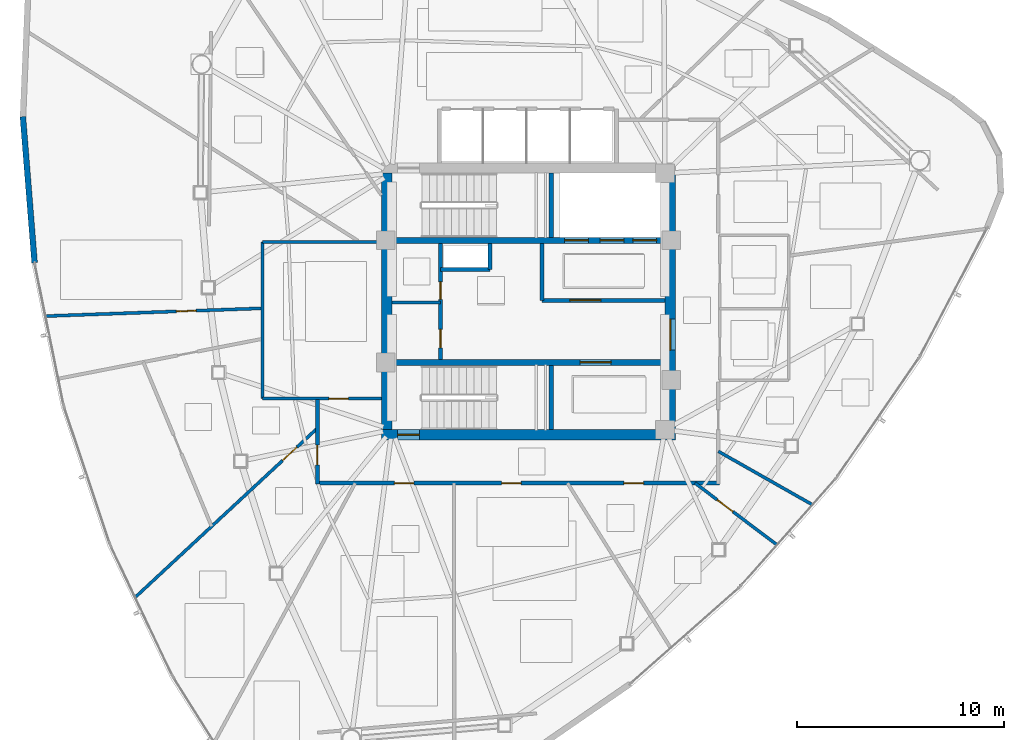
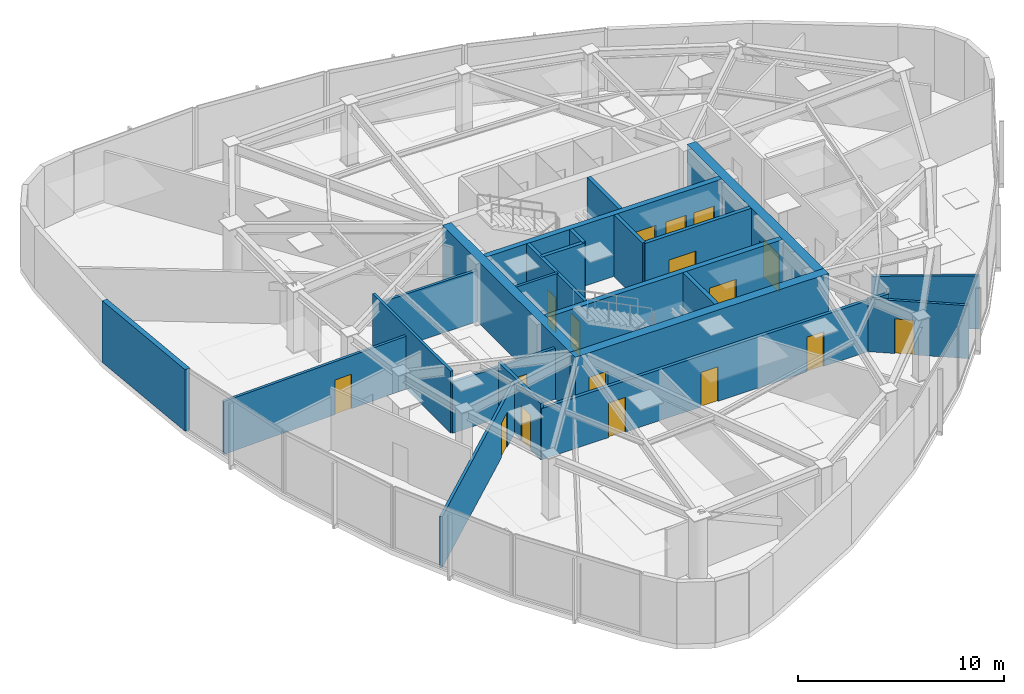
# One storey, part 10 of 15: 23 walls, 17 doors, 17 openings.
"""IFC4 building model written with IfcOpenShell, lengths in metres."""

from ifc_helpers import new_model, si_unit, direction, frame, frame_2d, origin, place, context, subcontext, project, spatial, rectangle, extrude, material, layer, layer_set, type_object, element, fill, save


model = new_model("IFC4")

# Units and contexts
model_context = context("Model", 3, precision=1e-05, world=origin(), true_north=direction((0.0, 1.0)))
body_context = subcontext(model_context, "Body", "Model", "MODEL_VIEW")
ifc_project = project(units=[si_unit("LENGTHUNIT", "METRE"), si_unit("AREAUNIT", "SQUARE_METRE"), si_unit("VOLUMEUNIT", "CUBIC_METRE"), si_unit("PLANEANGLEUNIT", "RADIAN"), si_unit("MASSUNIT", "GRAM", prefix="KILO")], contexts=[model_context])

# Site, building, storey
site_placement = place(None, origin())
site = spatial("IfcSite", under=ifc_project, at=site_placement, CompositionType="ELEMENT")
building_placement = place(site_placement, origin())
building = spatial("IfcBuilding", under=site, at=building_placement, Name="Tavelor Broadcast Tower", CompositionType="ELEMENT")
storey_placement = place(building_placement, frame((0.0, 0.0, 230.050048828125)))
storey = spatial("IfcBuildingStorey", under=building, at=storey_placement, Name="L54", CompositionType="ELEMENT", Elevation=230.050048828125)

# Wall, opening, door
ifc_material_1 = material(Name="Concrete C50/60", Category="concrete")
ifc_layer_1 = layer(ifc_material_1, 0.5)
ifc_layer_set_1 = layer_set([ifc_layer_1], Name="Concrete C50/60")
wall_type_1 = type_object("IfcWallType", Name="Core Shear Wall 500 mm", PredefinedType="SHEAR", material=ifc_layer_set_1)
wall_1_placement = place(storey_placement, frame((42.89990234375, 38.550048828125, 0.0), z_axis=(0.0, 0.0, 1.0), x_axis=(1.0, 0.0, 0.0)))
wall_1 = element("IfcWall", 1, at=wall_1_placement, inside=storey, type_object=wall_type_1, Name="L54 Central Core Shear Wall S", PredefinedType="SHEAR", context=body_context, shape_type="SweptSolid", body=[
    extrude(rectangle(XDim=14.2001953125, YDim=0.5, at=frame_2d((7.10009765625, 0.0))), origin(), (0.0, 0.0, 1.0), 3.64990234375),
])
opening_1_placement = place(wall_1_placement, frame((0.780029296875, 0.0, 0.0)))
opening_1 = element("IfcOpeningElement", 2, at=opening_1_placement, cuts=wall_1, Name="Opening DR11", PredefinedType="OPENING", context=body_context, shape_type="SweptSolid", body=[
    extrude(rectangle(XDim=1.050048828125, YDim=2.199951171875, at=frame_2d((0.52490234375, 1.10009765625))), frame((0.0, 0.260009765625, 0.0), z_axis=(0.0, -1.0, 0.0), x_axis=(1.0, 0.0, 0.0)), (0.0, 0.0, 1.0), 0.52001953125),
])
ifc_material_2 = material(Name="Steel S355", Category="steel")
door_type_1 = type_object("IfcDoorType", Name="Stair Core Fire Escape Door 1050x2200", OperationType="NOTDEFINED", PredefinedType="DOOR", material=ifc_material_2)
door_1_placement = place(opening_1_placement, origin())
door_1 = element("IfcDoor", 3, at=door_1_placement, inside=storey, type_object=door_type_1, Name="L54 Stair ST2 Protected Exit Door", OperationType="SINGLE_SWING_RIGHT", OverallHeight=2.199951171875, OverallWidth=1.050048828125, PredefinedType="DOOR", context=body_context, shape_type="SweptSolid", body=[
    extrude(rectangle(XDim=1.050048828125, YDim=2.199951171875, at=frame_2d((0.52490234375, 1.10009765625))), frame((0.0, 0.02490234375, 0.0), z_axis=(0.0, -1.0, 0.0), x_axis=(1.0, 0.0, 0.0)), (0.0, 0.0, 1.0), 0.050048828125),
])
fill(opening_1, door_1)

# Wall
wall_2_placement = place(storey_placement, frame((43.14990234375, 38.800048828125, 0.0), z_axis=(0.0, 0.0, 1.0), x_axis=(0.0, 1.0, 0.0)))
element("IfcWall", 4, at=wall_2_placement, inside=storey, type_object=wall_type_1, Name="L54 Central Core Shear Wall W", PredefinedType="SHEAR", context=body_context, shape_type="SweptSolid", body=[
    extrude(rectangle(XDim=12.39990234375, YDim=0.5, at=frame_2d((6.199951171875, 0.0))), origin(), (0.0, 0.0, 1.0), 3.64990234375),
])

# Wall, opening, door
wall_3_placement = place(storey_placement, frame((56.85009765625, 38.800048828125, 0.0), z_axis=(0.0, 0.0, 1.0), x_axis=(0.0, 1.0, 0.0)))
wall_3 = element("IfcWall", 5, at=wall_3_placement, inside=storey, type_object=wall_type_1, Name="L54 Central Core Shear Wall E", PredefinedType="SHEAR", context=body_context, shape_type="SweptSolid", body=[
    extrude(rectangle(XDim=12.39990234375, YDim=0.5, at=frame_2d((6.199951171875, 0.0))), origin(), (0.0, 0.0, 1.0), 3.64990234375),
])
opening_2_placement = place(wall_3_placement, frame((3.85009765625, 0.0, 0.0)))
opening_2 = element("IfcOpeningElement", 6, at=opening_2_placement, cuts=wall_3, Name="Opening DR14", PredefinedType="OPENING", context=body_context, shape_type="SweptSolid", body=[
    extrude(rectangle(XDim=1.5, YDim=2.199951171875, at=frame_2d((0.75, 1.10009765625))), frame((0.0, 0.260009765625, 0.0), z_axis=(0.0, -1.0, 0.0), x_axis=(1.0, 0.0, 0.0)), (0.0, 0.0, 1.0), 0.52001953125),
])
door_type_2 = type_object("IfcDoorType", Name="Firefighting Lobby Double Fire Door 1500x2200", OperationType="NOTDEFINED", PredefinedType="DOOR", material=ifc_material_2)
door_2_placement = place(opening_2_placement, origin())
door_2 = element("IfcDoor", 7, at=door_2_placement, inside=storey, type_object=door_type_2, Name="L54 Central Core Lobby Fire Door", OperationType="SINGLE_SWING_LEFT", OverallHeight=2.199951171875, OverallWidth=1.5, PredefinedType="DOOR", context=body_context, shape_type="SweptSolid", body=[
    extrude(rectangle(XDim=1.5, YDim=2.199951171875, at=frame_2d((0.75, 1.10009765625))), frame((0.0, 0.02490234375, 0.0), z_axis=(0.0, -1.0, 0.0), x_axis=(1.0, 0.0, 0.0)), (0.0, 0.0, 1.0), 0.050048828125),
])
fill(opening_2, door_2)

# Wall, openings, doors
ifc_layer_2 = layer(ifc_material_1, 0.300048828125)
ifc_layer_set_2 = layer_set([ifc_layer_2], Name="Concrete C50/60")
wall_type_2 = type_object("IfcWallType", Name="Core Spine Shear Wall 300 mm C50", PredefinedType="SHEAR", material=ifc_layer_set_2)
wall_4_placement = place(storey_placement, frame((43.39990234375, 47.949951171875, 0.0), z_axis=(0.0, 0.0, 1.0), x_axis=(1.0, 0.0, 0.0)))
wall_4 = element("IfcWall", 8, at=wall_4_placement, inside=storey, type_object=wall_type_2, Name="L54 Central Core Shear Wall SP1", PredefinedType="SHEAR", context=body_context, shape_type="SweptSolid", body=[
    extrude(rectangle(XDim=13.2001953125, YDim=0.300048828125, at=frame_2d((6.60009765625, 0.0))), origin(), (0.0, 0.0, 1.0), 3.64990234375),
])
opening_3_placement = place(wall_4_placement, frame((8.344970703125, 0.0, 0.0)))
opening_3 = element("IfcOpeningElement", 9, at=opening_3_placement, cuts=wall_4, Name="Opening LD02", PredefinedType="OPENING", context=body_context, shape_type="SweptSolid", body=[
    extrude(rectangle(XDim=1.14990234375, YDim=2.199951171875, at=frame_2d((0.574951171875, 1.10009765625))), frame((0.0, 0.16015625, 0.0), z_axis=(0.0, -1.0, 0.0), x_axis=(1.0, 0.0, 0.0)), (0.0, 0.0, 1.0), 0.320068359375),
])
opening_4_placement = place(wall_4_placement, frame((10.06494140625, 0.0, 0.0)))
opening_4 = element("IfcOpeningElement", 10, at=opening_4_placement, cuts=wall_4, Name="Opening LD02", PredefinedType="OPENING", context=body_context, shape_type="SweptSolid", body=[
    extrude(rectangle(XDim=1.14990234375, YDim=2.199951171875, at=frame_2d((0.574951171875, 1.10009765625))), frame((0.0, 0.16015625, 0.0), z_axis=(0.0, -1.0, 0.0), x_axis=(1.0, 0.0, 0.0)), (0.0, 0.0, 1.0), 0.320068359375),
])
opening_5_placement = place(wall_4_placement, frame((11.64501953125, 0.0, 0.0)))
opening_5 = element("IfcOpeningElement", 11, at=opening_5_placement, cuts=wall_4, Name="Opening LD03", PredefinedType="OPENING", context=body_context, shape_type="SweptSolid", body=[
    extrude(rectangle(XDim=1.14990234375, YDim=2.199951171875, at=frame_2d((0.574951171875, 1.10009765625))), frame((0.0, 0.16015625, 0.0), z_axis=(0.0, -1.0, 0.0), x_axis=(1.0, 0.0, 0.0)), (0.0, 0.0, 1.0), 0.320068359375),
])
ifc_material_3 = material(Name="Reinforced Brushed Stainless Steel", Category="concrete")
door_type_3 = type_object("IfcDoorType", Name="Broadcast Goods Lift Sliding Landing Door 1250x2200", OperationType="NOTDEFINED", PredefinedType="DOOR", material=ifc_material_3)
door_3_placement = place(opening_5_placement, origin())
door_3 = element("IfcDoor", 12, at=door_3_placement, inside=storey, type_object=door_type_3, Name="L54 Lift SVL1 Sliding Landing Door", OperationType="SLIDING_TO_LEFT", OverallHeight=2.199951171875, OverallWidth=1.14990234375, PredefinedType="DOOR", context=body_context, shape_type="SweptSolid", body=[
    extrude(rectangle(XDim=1.14990234375, YDim=2.199951171875, at=frame_2d((0.574951171875, 1.10009765625))), frame((0.0, 0.02490234375, 0.0), z_axis=(0.0, -1.0, 0.0), x_axis=(1.0, 0.0, 0.0)), (0.0, 0.0, 1.0), 0.050048828125),
])
fill(opening_5, door_3)
ifc_material_4 = material(Name="Fire-Rated Stainless Steel", Category="steel")
door_type_4 = type_object("IfcDoorType", Name="Firefighting Lift Sliding Landing Door 1200x2200", OperationType="NOTDEFINED", PredefinedType="DOOR", material=ifc_material_4)
door_4_placement = place(opening_3_placement, origin())
door_4 = element("IfcDoor", 13, at=door_4_placement, inside=storey, type_object=door_type_4, Name="L54 Lift FFL1 Sliding Landing Door", OperationType="SLIDING_TO_LEFT", OverallHeight=2.199951171875, OverallWidth=1.14990234375, PredefinedType="DOOR", context=body_context, shape_type="SweptSolid", body=[
    extrude(rectangle(XDim=1.14990234375, YDim=2.199951171875, at=frame_2d((0.574951171875, 1.10009765625))), frame((0.0, 0.02490234375, 0.0), z_axis=(0.0, -1.0, 0.0), x_axis=(1.0, 0.0, 0.0)), (0.0, 0.0, 1.0), 0.050048828125),
])
fill(opening_3, door_4)
door_5_placement = place(opening_4_placement, origin())
door_5 = element("IfcDoor", 14, at=door_5_placement, inside=storey, type_object=door_type_4, Name="L54 Lift FFL2 Sliding Landing Door", OperationType="SLIDING_TO_LEFT", OverallHeight=2.199951171875, OverallWidth=1.14990234375, PredefinedType="DOOR", context=body_context, shape_type="SweptSolid", body=[
    extrude(rectangle(XDim=1.14990234375, YDim=2.199951171875, at=frame_2d((0.574951171875, 1.10009765625))), frame((0.0, 0.02490234375, 0.0), z_axis=(0.0, -1.0, 0.0), x_axis=(1.0, 0.0, 0.0)), (0.0, 0.0, 1.0), 0.050048828125),
])
fill(opening_4, door_5)

# Wall, opening, door
wall_5_placement = place(storey_placement, frame((43.39990234375, 42.050048828125, 0.0), z_axis=(0.0, 0.0, 1.0), x_axis=(1.0, 0.0, 0.0)))
wall_5 = element("IfcWall", 15, at=wall_5_placement, inside=storey, type_object=wall_type_2, Name="L54 Central Core Shear Wall SP2", PredefinedType="SHEAR", context=body_context, shape_type="SweptSolid", body=[
    extrude(rectangle(XDim=13.2001953125, YDim=0.300048828125, at=frame_2d((6.60009765625, 0.0))), origin(), (0.0, 0.0, 1.0), 3.64990234375),
])
opening_6_placement = place(wall_5_placement, frame((9.10009765625, 0.0, 0.0)))
opening_6 = element("IfcOpeningElement", 16, at=opening_6_placement, cuts=wall_5, Name="Opening DR14", PredefinedType="OPENING", context=body_context, shape_type="SweptSolid", body=[
    extrude(rectangle(XDim=1.5, YDim=2.199951171875, at=frame_2d((0.75, 1.10009765625))), frame((0.0, 0.16015625, 0.0), z_axis=(0.0, -1.0, 0.0), x_axis=(1.0, 0.0, 0.0)), (0.0, 0.0, 1.0), 0.320068359375),
])
door_6_placement = place(opening_6_placement, origin())
door_6 = element("IfcDoor", 17, at=door_6_placement, inside=storey, type_object=door_type_2, Name="L54 Reclaimed South Core Vestibule Door", OperationType="SINGLE_SWING_LEFT", OverallHeight=2.199951171875, OverallWidth=1.5, PredefinedType="DOOR", context=body_context, shape_type="SweptSolid", body=[
    extrude(rectangle(XDim=1.5, YDim=2.199951171875, at=frame_2d((0.75, 1.10009765625))), frame((0.0, 0.02490234375, 0.0), z_axis=(0.0, -1.0, 0.0), x_axis=(1.0, 0.0, 0.0)), (0.0, 0.0, 1.0), 0.050048828125),
])
fill(opening_6, door_6)

# Wall, openings, doors
ifc_material_5 = material(Name="Calcium Silicate Fire Board 180 mm", Category="gypsum")
ifc_layer_3 = layer(ifc_material_5, 0.179931640625)
ifc_layer_set_3 = layer_set([ifc_layer_3], Name="Calcium Silicate Fire Board 180 mm")
wall_type_3 = type_object("IfcWallType", Name="Fire-Rated Corridor Partition Wall 180 mm", PredefinedType="PARTITIONING", material=ifc_layer_set_3)
wall_6_placement = place(storey_placement, frame((45.75, 42.199951171875, 0.0), z_axis=(0.0, 0.0, 1.0), x_axis=(0.0, 1.0, 0.0)))
wall_6 = element("IfcWall", 18, at=wall_6_placement, inside=storey, type_object=wall_type_3, Name="L54 Core West Service East Wall", PredefinedType="PARTITIONING", context=body_context, shape_type="SweptSolid", body=[
    extrude(rectangle(XDim=5.60009765625, YDim=0.179931640625, at=frame_2d((2.800048828125, 0.0))), origin(), (0.0, 0.0, 1.0), 3.64990234375),
])
opening_7_placement = place(wall_6_placement, frame((0.550048828125, 0.0, 0.0)))
opening_7 = element("IfcOpeningElement", 19, at=opening_7_placement, cuts=wall_6, Name="Opening DR32", PredefinedType="OPENING", context=body_context, shape_type="SweptSolid", body=[
    extrude(rectangle(XDim=0.89990234375, YDim=2.050048828125, at=frame_2d((0.449951171875, 1.02490234375))), frame((0.0, 0.10009765625, 0.0), z_axis=(0.0, -1.0, 0.0), x_axis=(1.0, 0.0, 0.0)), (0.0, 0.0, 1.0), 0.199951171875),
])
opening_8_placement = place(wall_6_placement, frame((2.89990234375, 0.0, 0.0)))
opening_8 = element("IfcOpeningElement", 20, at=opening_8_placement, cuts=wall_6, Name="Opening DR36", PredefinedType="OPENING", context=body_context, shape_type="SweptSolid", body=[
    extrude(rectangle(XDim=0.85009765625, YDim=2.050048828125, at=frame_2d((0.425048828125, 1.02490234375))), frame((0.0, 0.10009765625, 0.0), z_axis=(0.0, -1.0, 0.0), x_axis=(1.0, 0.0, 0.0)), (0.0, 0.0, 1.0), 0.199951171875),
])
ifc_material_6 = material(Name="Timber Solid Core Hardwood", Category="wood")
door_type_5 = type_object("IfcDoorType", Name="Accessible Washroom Door 900x2050", OperationType="NOTDEFINED", PredefinedType="DOOR", material=ifc_material_6)
door_7_placement = place(opening_7_placement, origin())
door_7 = element("IfcDoor", 21, at=door_7_placement, inside=storey, type_object=door_type_5, Name="L54 Core Accessible WC Door", OperationType="SINGLE_SWING_LEFT", OverallHeight=2.050048828125, OverallWidth=0.89990234375, PredefinedType="DOOR", context=body_context, shape_type="SweptSolid", body=[
    extrude(rectangle(XDim=0.89990234375, YDim=2.050048828125, at=frame_2d((0.449951171875, 1.02490234375))), frame((0.0, 0.02490234375, 0.0), z_axis=(0.0, -1.0, 0.0), x_axis=(1.0, 0.0, 0.0)), (0.0, 0.0, 1.0), 0.050048828125),
])
fill(opening_7, door_7)
door_type_6 = type_object("IfcDoorType", Name="Service Room Fire Door 850x2050", OperationType="NOTDEFINED", PredefinedType="DOOR", material=ifc_material_2)
door_8_placement = place(opening_8_placement, origin())
door_8 = element("IfcDoor", 22, at=door_8_placement, inside=storey, type_object=door_type_6, Name="L54 Core Cleaner Store Door", OperationType="SINGLE_SWING_RIGHT", OverallHeight=2.050048828125, OverallWidth=0.85009765625, PredefinedType="DOOR", context=body_context, shape_type="SweptSolid", body=[
    extrude(rectangle(XDim=0.85009765625, YDim=2.050048828125, at=frame_2d((0.425048828125, 1.02490234375))), frame((0.0, 0.02490234375, 0.0), z_axis=(0.0, -1.0, 0.0), x_axis=(1.0, 0.0, 0.0)), (0.0, 0.0, 1.0), 0.050048828125),
])
fill(opening_8, door_8)

wall_7_placement = place(storey_placement, frame((59.22998046875, 36.219970703125, 0.0), z_axis=(0.0, 0.0, 1.0), x_axis=(-1.0, 0.0, 0.0)))
wall_7 = element("IfcWall", 23, at=wall_7_placement, inside=storey, type_object=wall_type_3, Name="L54 Corridor Compartment Wall 04", PredefinedType="PARTITIONING", context=body_context, shape_type="SweptSolid", body=[
    extrude(rectangle(XDim=19.47998046875, YDim=0.179931640625, at=frame_2d((9.739990234375, 0.0))), origin(), (0.0, 0.0, 1.0), 3.02490234375),
])
opening_9_placement = place(wall_7_placement, frame((3.66552734375, 0.0, 0.0)))
opening_9 = element("IfcOpeningElement", 24, at=opening_9_placement, cuts=wall_7, Name="Opening DR18", PredefinedType="OPENING", context=body_context, shape_type="SweptSolid", body=[
    extrude(rectangle(XDim=0.949951171875, YDim=2.050048828125, at=frame_2d((0.47509765625, 1.02490234375))), frame((0.0, 0.10009765625, 0.0), z_axis=(0.0, -1.0, 0.0), x_axis=(1.0, 0.0, 0.0)), (0.0, 0.0, 1.0), 0.199951171875),
])
opening_10_placement = place(wall_7_placement, frame((9.5791015625, 0.0, 0.0)))
opening_10 = element("IfcOpeningElement", 25, at=opening_10_placement, cuts=wall_7, Name="Opening DR18", PredefinedType="OPENING", context=body_context, shape_type="SweptSolid", body=[
    extrude(rectangle(XDim=0.949951171875, YDim=2.050048828125, at=frame_2d((0.47509765625, 1.02490234375))), frame((0.0, 0.10009765625, 0.0), z_axis=(0.0, -1.0, 0.0), x_axis=(1.0, 0.0, 0.0)), (0.0, 0.0, 1.0), 0.199951171875),
])
opening_11_placement = place(wall_7_placement, frame((14.762451171875, 0.0, 0.0)))
opening_11 = element("IfcOpeningElement", 26, at=opening_11_placement, cuts=wall_7, Name="Opening DR18", PredefinedType="OPENING", context=body_context, shape_type="SweptSolid", body=[
    extrude(rectangle(XDim=0.949951171875, YDim=2.050048828125, at=frame_2d((0.47509765625, 1.02490234375))), frame((0.0, 0.10009765625, 0.0), z_axis=(0.0, -1.0, 0.0), x_axis=(1.0, 0.0, 0.0)), (0.0, 0.0, 1.0), 0.199951171875),
])
door_type_7 = type_object("IfcDoorType", Name="Corridor Rated Compartment Door 950x2050", OperationType="NOTDEFINED", PredefinedType="DOOR", material=ifc_material_6)
door_9_placement = place(opening_9_placement, origin())
door_9 = element("IfcDoor", 27, at=door_9_placement, inside=storey, type_object=door_type_7, Name="L54 Audio Dubbing Studio Door R0", OperationType="SINGLE_SWING_LEFT", OverallHeight=2.050048828125, OverallWidth=0.949951171875, PredefinedType="DOOR", context=body_context, shape_type="SweptSolid", body=[
    extrude(rectangle(XDim=0.949951171875, YDim=2.050048828125, at=frame_2d((0.47509765625, 1.02490234375))), frame((0.0, 0.02490234375, 0.0), z_axis=(0.0, -1.0, 0.0), x_axis=(1.0, 0.0, 0.0)), (0.0, 0.0, 1.0), 0.050048828125),
])
fill(opening_9, door_9)
door_10_placement = place(opening_10_placement, origin())
door_10 = element("IfcDoor", 28, at=door_10_placement, inside=storey, type_object=door_type_7, Name="L54 Podcast Recording Studio Door R1", OperationType="SINGLE_SWING_RIGHT", OverallHeight=2.050048828125, OverallWidth=0.949951171875, PredefinedType="DOOR", context=body_context, shape_type="SweptSolid", body=[
    extrude(rectangle(XDim=0.949951171875, YDim=2.050048828125, at=frame_2d((0.47509765625, 1.02490234375))), frame((0.0, 0.02490234375, 0.0), z_axis=(0.0, -1.0, 0.0), x_axis=(1.0, 0.0, 0.0)), (0.0, 0.0, 1.0), 0.050048828125),
])
fill(opening_10, door_10)
door_11_placement = place(opening_11_placement, origin())
door_11 = element("IfcDoor", 29, at=door_11_placement, inside=storey, type_object=door_type_7, Name="L54 Colour Grading Studio Door R2", OperationType="SINGLE_SWING_LEFT", OverallHeight=2.050048828125, OverallWidth=0.949951171875, PredefinedType="DOOR", context=body_context, shape_type="SweptSolid", body=[
    extrude(rectangle(XDim=0.949951171875, YDim=2.050048828125, at=frame_2d((0.47509765625, 1.02490234375))), frame((0.0, 0.02490234375, 0.0), z_axis=(0.0, -1.0, 0.0), x_axis=(1.0, 0.0, 0.0)), (0.0, 0.0, 1.0), 0.050048828125),
])
fill(opening_11, door_11)

# Wall, opening, door
wall_8_placement = place(storey_placement, frame((39.800048828125, 36.169921875, 0.0), z_axis=(0.0, 0.0, 1.0), x_axis=(0.0, 1.0, 0.0)))
wall_8 = element("IfcWall", 30, at=wall_8_placement, inside=storey, type_object=wall_type_3, Name="L54 Corridor Compartment Wall 05", PredefinedType="PARTITIONING", context=body_context, shape_type="SweptSolid", body=[
    extrude(rectangle(XDim=4.080078125, YDim=0.179931640625, at=frame_2d((2.0400390625, 0.0))), origin(), (0.0, 0.0, 1.0), 3.324951171875),
])
opening_12_placement = place(wall_8_placement, frame((0.9287109375, 0.0, 0.0)))
opening_12 = element("IfcOpeningElement", 31, at=opening_12_placement, cuts=wall_8, Name="Opening DR18", PredefinedType="OPENING", context=body_context, shape_type="SweptSolid", body=[
    extrude(rectangle(XDim=0.949951171875, YDim=2.050048828125, at=frame_2d((0.47509765625, 1.02490234375))), frame((0.0, 0.10009765625, 0.0), z_axis=(0.0, -1.0, 0.0), x_axis=(1.0, 0.0, 0.0)), (0.0, 0.0, 1.0), 0.199951171875),
])
door_12_placement = place(opening_12_placement, origin())
door_12 = element("IfcDoor", 32, at=door_12_placement, inside=storey, type_object=door_type_7, Name="L54 Sound Foley Studio Door R3", OperationType="SINGLE_SWING_RIGHT", OverallHeight=2.050048828125, OverallWidth=0.949951171875, PredefinedType="DOOR", context=body_context, shape_type="SweptSolid", body=[
    extrude(rectangle(XDim=0.949951171875, YDim=2.050048828125, at=frame_2d((0.47509765625, 1.02490234375))), frame((0.0, 0.02490234375, 0.0), z_axis=(0.0, -1.0, 0.0), x_axis=(1.0, 0.0, 0.0)), (0.0, 0.0, 1.0), 0.050048828125),
])
fill(opening_12, door_12)

# Walls
ifc_material_7 = material(Name="Precast Concrete C40/50", Category="concrete")
ifc_layer_4 = layer(ifc_material_7, 0.280029296875)
ifc_layer_set_4 = layer_set([ifc_layer_4], Name="Precast Concrete C40/50")
wall_type_4 = type_object("IfcWallType", Name="Insulated Precast Terracotta Facade Wall 280 mm", PredefinedType="STANDARD", material=ifc_layer_set_4)
wall_9_placement = place(storey_placement, frame((25.561279296875, 53.931884765625, 0.0), z_axis=(0.0, 0.0, 1.0), x_axis=(0.079752068493, -0.996814730816, 0.0)))
element("IfcWall", 33, at=wall_9_placement, inside=storey, type_object=wall_type_4, Name="L54 Rounded Corner Structural Cladding Pier 06", PredefinedType="STANDARD", context=body_context, shape_type="SweptSolid", body=[
    extrude(rectangle(XDim=7.086669921875, YDim=0.280029296875, at=frame_2d((3.54345703125, 0.0))), origin(), (0.0, 0.0, 1.0), 3.64990234375),
])
ifc_material_8 = material(Name="Gypsum Acoustic Plasterboard 150 mm", Category="gypsum")
ifc_layer_5 = layer(ifc_material_8, 0.14990234375)
ifc_layer_set_5 = layer_set([ifc_layer_5], Name="Gypsum Acoustic Plasterboard 150 mm")
wall_type_5 = type_object("IfcWallType", Name="Interior Acoustic Partition Wall 150 mm", PredefinedType="PARTITIONING", material=ifc_layer_set_5)
wall_10_placement = place(storey_placement, frame((43.39990234375, 44.949951171875, 0.0), z_axis=(0.0, 0.0, 1.0), x_axis=(1.0, 0.0, 0.0)))
element("IfcWall", 34, at=wall_10_placement, inside=storey, type_object=wall_type_5, Name="L54 Core Split Wall A", PredefinedType="PARTITIONING", context=body_context, shape_type="SweptSolid", body=[
    extrude(rectangle(XDim=2.35009765625, YDim=0.14990234375, at=frame_2d((1.175048828125, 0.0))), origin(), (0.0, 0.0, 1.0), 3.64990234375),
])

# Wall, opening, door
wall_11_placement = place(storey_placement, frame((37.139892578125, 40.300048828125, 0.0), z_axis=(0.0, 0.0, 1.0), x_axis=(1.0, 0.0, 0.0)))
wall_11 = element("IfcWall", 35, at=wall_11_placement, inside=storey, type_object=wall_type_5, Name="L54 Reclaimed Shaft Pantry South Wall", PredefinedType="PARTITIONING", context=body_context, shape_type="SweptSolid", body=[
    extrude(rectangle(XDim=5.760009765625, YDim=0.14990234375, at=frame_2d((2.8798828125, 0.0))), origin(), (0.0, 0.0, 1.0), 3.02490234375),
])
opening_13_placement = place(wall_11_placement, frame((3.2099609375, 0.0, 0.0)))
opening_13 = element("IfcOpeningElement", 36, at=opening_13_placement, cuts=wall_11, Name="Opening DR18", PredefinedType="OPENING", context=body_context, shape_type="SweptSolid", body=[
    extrude(rectangle(XDim=0.949951171875, YDim=2.050048828125, at=frame_2d((0.47509765625, 1.02490234375))), frame((0.0, 0.0849609375, 0.0), z_axis=(0.0, -1.0, 0.0), x_axis=(1.0, 0.0, 0.0)), (0.0, 0.0, 1.0), 0.169921875),
])
door_13_placement = place(opening_13_placement, origin())
door_13 = element("IfcDoor", 37, at=door_13_placement, inside=storey, type_object=door_type_7, Name="L54 Broadcast IT Patch and Pantry Door", OperationType="SINGLE_SWING_LEFT", OverallHeight=2.050048828125, OverallWidth=0.949951171875, PredefinedType="DOOR", context=body_context, shape_type="SweptSolid", body=[
    extrude(rectangle(XDim=0.949951171875, YDim=2.050048828125, at=frame_2d((0.47509765625, 1.02490234375))), frame((0.0, 0.02490234375, 0.0), z_axis=(0.0, -1.0, 0.0), x_axis=(1.0, 0.0, 0.0)), (0.0, 0.0, 1.0), 0.050048828125),
])
fill(opening_13, door_13)

# Walls
wall_12_placement = place(storey_placement, frame((37.139892578125, 40.300048828125, 0.0), z_axis=(0.0, 0.0, 1.0), x_axis=(0.0, 1.0, 0.0)))
element("IfcWall", 38, at=wall_12_placement, inside=storey, type_object=wall_type_5, Name="L54 Reclaimed Shaft Pantry West Wall", PredefinedType="PARTITIONING", context=body_context, shape_type="SweptSolid", body=[
    extrude(rectangle(XDim=7.579833984375, YDim=0.14990234375, at=frame_2d((3.7900390625, 0.0))), origin(), (0.0, 0.0, 1.0), 3.64990234375),
])
wall_13_placement = place(storey_placement, frame((37.139892578125, 47.8798828125, 0.0), z_axis=(0.0, 0.0, 1.0), x_axis=(1.0, 0.0, 0.0)))
element("IfcWall", 39, at=wall_13_placement, inside=storey, type_object=wall_type_5, Name="L54 Reclaimed Shaft Pantry North Wall", PredefinedType="PARTITIONING", context=body_context, shape_type="SweptSolid", body=[
    extrude(rectangle(XDim=5.760009765625, YDim=0.14990234375, at=frame_2d((2.8798828125, 0.0))), origin(), (0.0, 0.0, 1.0), 3.02490234375),
])

# Wall, opening, door
wall_14_placement = place(storey_placement, frame((58.051513671875, 36.219970703125, 0.0), z_axis=(0.0, 0.0, 1.0), x_axis=(0.798637013942, -0.601813027411, 0.0)))
wall_14 = element("IfcWall", 40, at=wall_14_placement, inside=storey, type_object=wall_type_5, Name="L54 Radial Compartment Wall 01", PredefinedType="PARTITIONING", context=body_context, shape_type="SweptSolid", body=[
    extrude(rectangle(XDim=4.97265625, YDim=0.14990234375, at=frame_2d((2.486328125, 0.0))), origin(), (0.0, 0.0, 1.0), 3.135009765625),
])
opening_14_placement = place(wall_14_placement, frame((1.35009765625, 0.0, 0.0)))
opening_14 = element("IfcOpeningElement", 41, at=opening_14_placement, cuts=wall_14, Name="Opening DR18", PredefinedType="OPENING", context=body_context, shape_type="SweptSolid", body=[
    extrude(rectangle(XDim=0.949951171875, YDim=2.050048828125, at=frame_2d((0.47509765625, 1.02490234375))), frame((0.0, 0.0849609375, 0.0), z_axis=(0.0, -1.0, 0.0), x_axis=(1.0, 0.0, 0.0)), (0.0, 0.0, 1.0), 0.169921875),
])
door_14_placement = place(opening_14_placement, origin())
door_14 = element("IfcDoor", 42, at=door_14_placement, inside=storey, type_object=door_type_7, Name="L54 Suite Connecting Door 12", OperationType="SINGLE_SWING_LEFT", OverallHeight=2.050048828125, OverallWidth=0.949951171875, PredefinedType="DOOR", context=body_context, shape_type="SweptSolid", body=[
    extrude(rectangle(XDim=0.949951171875, YDim=2.050048828125, at=frame_2d((0.47509765625, 1.02490234375))), frame((0.0, 0.02490234375, 0.0), z_axis=(0.0, -1.0, 0.0), x_axis=(1.0, 0.0, 0.0)), (0.0, 0.0, 1.0), 0.050048828125),
])
fill(opening_14, door_14)

# Wall
wall_15_placement = place(storey_placement, frame((59.179931640625, 37.752197265625, 0.0), z_axis=(0.0, 0.0, 1.0), x_axis=(0.869846344998, -0.493322750432, 0.0)))
element("IfcWall", 43, at=wall_15_placement, inside=storey, type_object=wall_type_5, Name="L54 Radial Compartment Wall 02", PredefinedType="PARTITIONING", context=body_context, shape_type="SweptSolid", body=[
    extrude(rectangle(XDim=5.242431640625, YDim=0.14990234375, at=frame_2d((2.62109375, 0.0))), origin(), (0.0, 0.0, 1.0), 3.135009765625),
])

# Wall, opening, door
wall_16_placement = place(storey_placement, frame((37.080078125, 44.665283203125, 0.0), z_axis=(0.0, 0.0, 1.0), x_axis=(-0.99935523855, -0.035904138807, 0.0)))
wall_16 = element("IfcWall", 44, at=wall_16_placement, inside=storey, type_object=wall_type_5, Name="L54 Radial Compartment Wall 08", PredefinedType="PARTITIONING", context=body_context, shape_type="SweptSolid", body=[
    extrude(rectangle(XDim=10.444580078125, YDim=0.14990234375, at=frame_2d((5.22216796875, 0.0))), origin(), (0.0, 0.0, 1.0), 3.135009765625),
])
opening_15_placement = place(wall_16_placement, frame((3.14990234375, 0.0, 0.0)))
opening_15 = element("IfcOpeningElement", 45, at=opening_15_placement, cuts=wall_16, Name="Opening DR18", PredefinedType="OPENING", context=body_context, shape_type="SweptSolid", body=[
    extrude(rectangle(XDim=0.949951171875, YDim=2.050048828125, at=frame_2d((0.47509765625, 1.02490234375))), frame((0.0, 0.0849609375, 0.0), z_axis=(0.0, -1.0, 0.0), x_axis=(1.0, 0.0, 0.0)), (0.0, 0.0, 1.0), 0.169921875),
])
door_15_placement = place(opening_15_placement, origin())
door_15 = element("IfcDoor", 46, at=door_15_placement, inside=storey, type_object=door_type_7, Name="L54 Suite Connecting Door 6", OperationType="SINGLE_SWING_RIGHT", OverallHeight=2.050048828125, OverallWidth=0.949951171875, PredefinedType="DOOR", context=body_context, shape_type="SweptSolid", body=[
    extrude(rectangle(XDim=0.949951171875, YDim=2.050048828125, at=frame_2d((0.47509765625, 1.02490234375))), frame((0.0, 0.02490234375, 0.0), z_axis=(0.0, -1.0, 0.0), x_axis=(1.0, 0.0, 0.0)), (0.0, 0.0, 1.0), 0.050048828125),
])
fill(opening_15, door_15)

wall_17_placement = place(storey_placement, frame((39.800048828125, 38.873779296875, 0.0), z_axis=(0.0, 0.0, 1.0), x_axis=(-0.732923558044, -0.680311000987, 0.0)))
wall_17 = element("IfcWall", 47, at=wall_17_placement, inside=storey, type_object=wall_type_5, Name="L54 Radial Compartment Wall 10", PredefinedType="PARTITIONING", context=body_context, shape_type="SweptSolid", body=[
    extrude(rectangle(XDim=12.032470703125, YDim=0.14990234375, at=frame_2d((6.01611328125, 0.0))), origin(), (0.0, 0.0, 1.0), 3.02490234375),
])
opening_16_placement = place(wall_17_placement, frame((1.35009765625, 0.0, 0.0)))
opening_16 = element("IfcOpeningElement", 48, at=opening_16_placement, cuts=wall_17, Name="Opening DR18", PredefinedType="OPENING", context=body_context, shape_type="SweptSolid", body=[
    extrude(rectangle(XDim=0.949951171875, YDim=2.050048828125, at=frame_2d((0.47509765625, 1.02490234375))), frame((0.0, 0.0849609375, 0.0), z_axis=(0.0, -1.0, 0.0), x_axis=(1.0, 0.0, 0.0)), (0.0, 0.0, 1.0), 0.169921875),
])
door_16_placement = place(opening_16_placement, origin())
door_16 = element("IfcDoor", 49, at=door_16_placement, inside=storey, type_object=door_type_7, Name="L54 Suite Connecting Door 13", OperationType="SINGLE_SWING_RIGHT", OverallHeight=2.050048828125, OverallWidth=0.949951171875, PredefinedType="DOOR", context=body_context, shape_type="SweptSolid", body=[
    extrude(rectangle(XDim=0.949951171875, YDim=2.050048828125, at=frame_2d((0.47509765625, 1.02490234375))), frame((0.0, 0.02490234375, 0.0), z_axis=(0.0, -1.0, 0.0), x_axis=(1.0, 0.0, 0.0)), (0.0, 0.0, 1.0), 0.050048828125),
])
fill(opening_16, door_16)

# Walls
ifc_material_9 = material(Name="Concrete Blockwork 200 mm", Category="masonry")
ifc_layer_6 = layer(ifc_material_9, 0.199951171875)
ifc_layer_set_6 = layer_set([ifc_layer_6], Name="Concrete Blockwork 200 mm")
wall_type_6 = type_object("IfcWallType", Name="Lift and Riser Shaft Enclosure Wall 200 mm", PredefinedType="PARTITIONING", material=ifc_layer_set_6)
wall_18_placement = place(storey_placement, frame((45.75, 46.550048828125, 0.0), z_axis=(0.0, 0.0, 1.0), x_axis=(1.0, 0.0, 0.0)))
element("IfcWall", 50, at=wall_18_placement, inside=storey, type_object=wall_type_6, Name="L54 Riser Shaft South Wall", PredefinedType="PARTITIONING", context=body_context, shape_type="SweptSolid", body=[
    extrude(rectangle(XDim=2.39990234375, YDim=0.199951171875, at=frame_2d((1.199951171875, 0.0))), origin(), (0.0, 0.0, 1.0), 3.64990234375),
])
wall_19_placement = place(storey_placement, frame((48.14990234375, 46.550048828125, 0.0), z_axis=(0.0, 0.0, 1.0), x_axis=(0.0, 1.0, 0.0)))
element("IfcWall", 51, at=wall_19_placement, inside=storey, type_object=wall_type_6, Name="L54 Riser Shaft East Wall", PredefinedType="PARTITIONING", context=body_context, shape_type="SweptSolid", body=[
    extrude(rectangle(XDim=1.25, YDim=0.199951171875, at=frame_2d((0.625, 0.0))), origin(), (0.0, 0.0, 1.0), 3.64990234375),
])

# Wall, opening, door
wall_20_placement = place(storey_placement, frame((50.64990234375, 45.050048828125, 0.0), z_axis=(0.0, 0.0, 1.0), x_axis=(1.0, 0.0, 0.0)))
wall_20 = element("IfcWall", 52, at=wall_20_placement, inside=storey, type_object=wall_type_6, Name="L54 Firefighting Lobby South Wall", PredefinedType="PARTITIONING", context=body_context, shape_type="SweptSolid", body=[
    extrude(rectangle(XDim=5.9501953125, YDim=0.199951171875, at=frame_2d((2.97509765625, 0.0))), origin(), (0.0, 0.0, 1.0), 3.64990234375),
])
opening_17_placement = place(wall_20_placement, frame((1.35009765625, 0.0, 0.0)))
opening_17 = element("IfcOpeningElement", 53, at=opening_17_placement, cuts=wall_20, Name="Opening DR14", PredefinedType="OPENING", context=body_context, shape_type="SweptSolid", body=[
    extrude(rectangle(XDim=1.5, YDim=2.199951171875, at=frame_2d((0.75, 1.10009765625))), frame((0.0, 0.10986328125, 0.0), z_axis=(0.0, -1.0, 0.0), x_axis=(1.0, 0.0, 0.0)), (0.0, 0.0, 1.0), 0.219970703125),
])
door_17_placement = place(opening_17_placement, origin())
door_17 = element("IfcDoor", 54, at=door_17_placement, inside=storey, type_object=door_type_2, Name="L54 Firefighting Lobby Compartment Door", OperationType="SINGLE_SWING_RIGHT", OverallHeight=2.199951171875, OverallWidth=1.5, PredefinedType="DOOR", context=body_context, shape_type="SweptSolid", body=[
    extrude(rectangle(XDim=1.5, YDim=2.199951171875, at=frame_2d((0.75, 1.10009765625))), frame((0.0, 0.02490234375, 0.0), z_axis=(0.0, -1.0, 0.0), x_axis=(1.0, 0.0, 0.0)), (0.0, 0.0, 1.0), 0.050048828125),
])
fill(opening_17, door_17)

# Walls
wall_21_placement = place(storey_placement, frame((50.64990234375, 45.050048828125, 0.0), z_axis=(0.0, 0.0, 1.0), x_axis=(0.0, 1.0, 0.0)))
element("IfcWall", 55, at=wall_21_placement, inside=storey, type_object=wall_type_6, Name="L54 Firefighting Lobby West Wall", PredefinedType="PARTITIONING", context=body_context, shape_type="SweptSolid", body=[
    extrude(rectangle(XDim=2.75, YDim=0.199951171875, at=frame_2d((1.375, 0.0))), origin(), (0.0, 0.0, 1.0), 3.64990234375),
])
ifc_material_10 = material(Name="Concrete C40/50", Category="concrete")
ifc_layer_7 = layer(ifc_material_10, 0.219970703125)
ifc_layer_set_7 = layer_set([ifc_layer_7], Name="Concrete C40/50")
wall_type_7 = type_object("IfcWallType", Name="Structural Stairwell Shear Wall 220 mm", PredefinedType="SHEAR", material=ifc_layer_set_7)
for number, where, z_axis, x_axis, name in (
    (56, (51.110107421875, 48.10009765625, 0.0), (0.0, 0.0, 1.0), (0.0, 1.0, 0.0), "L54 Stair ST1 Structural Shaft Wall"),
    (57, (51.110107421875, 38.800048828125, 0.0), (0.0, 0.0, 1.0), (0.0, 1.0, 0.0), "L54 Stair ST2 Structural Shaft Wall"),
):
    element("IfcWall", number, at=place(storey_placement, frame(where, z_axis=z_axis, x_axis=x_axis)), inside=storey, type_object=wall_type_7, Name=name, PredefinedType="SHEAR", context=body_context, shape_type="SweptSolid", body=[
        extrude(rectangle(XDim=3.099853515625, YDim=0.219970703125, at=frame_2d((1.5498046875, 0.0))), origin(), (0.0, 0.0, 1.0), 3.64990234375),
    ])

save(model, "model.ifc")
